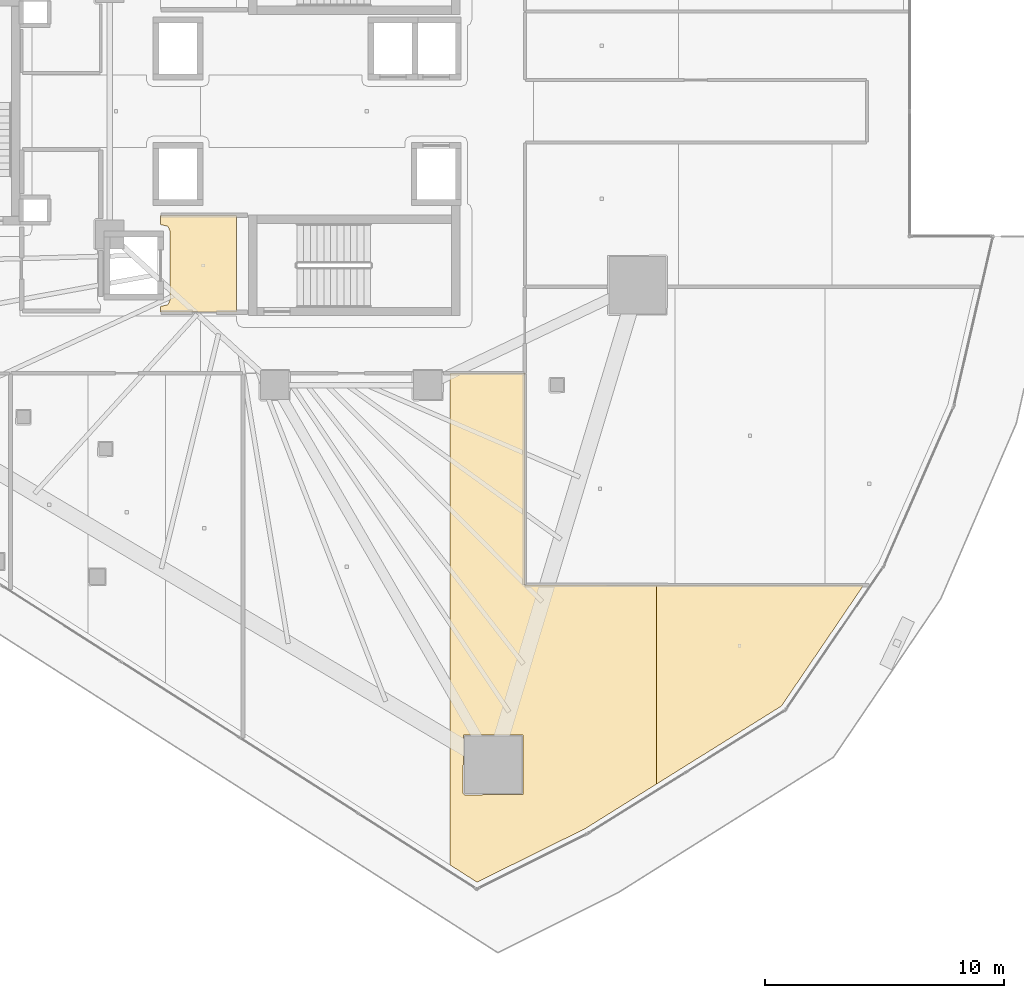
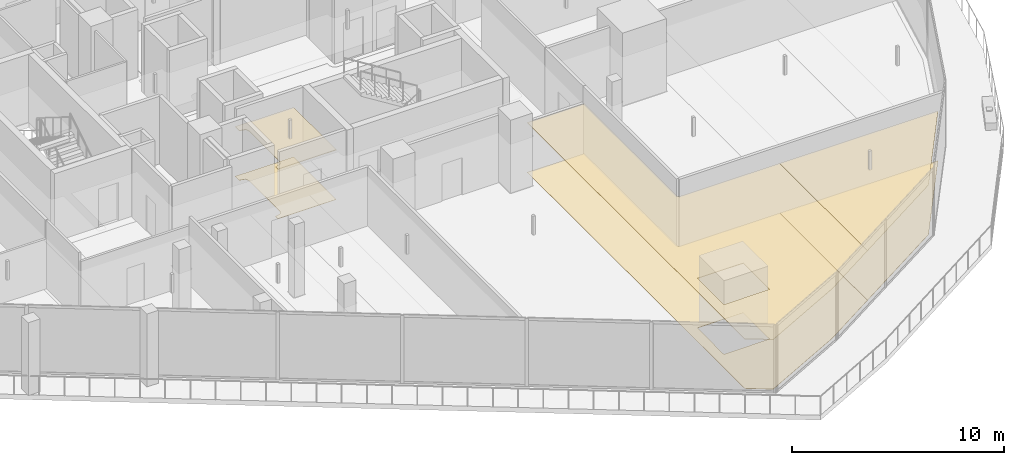
# One storey, part 38 of 44: 6 coverings.
"""IFC4 building model written with IfcOpenShell, lengths in metres."""

from ifc_helpers import new_model, si_unit, direction, frame, origin, place, context, subcontext, project, spatial, polyline, outline, extrude, material, layer, layer_set, type_object, element, save


model = new_model("IFC4")

# Units and contexts
model_context = context("Model", 3, precision=1e-05, world=origin(), true_north=direction((0.0, 1.0)))
body_context = subcontext(model_context, "Body", "Model", "MODEL_VIEW")
ifc_project = project(units=[si_unit("LENGTHUNIT", "METRE"), si_unit("AREAUNIT", "SQUARE_METRE"), si_unit("VOLUMEUNIT", "CUBIC_METRE"), si_unit("PLANEANGLEUNIT", "RADIAN"), si_unit("MASSUNIT", "GRAM", prefix="KILO")], contexts=[model_context])

# Site, building, storey
site_placement = place(None, origin())
site = spatial("IfcSite", under=ifc_project, at=site_placement, CompositionType="ELEMENT")
building_placement = place(site_placement, origin())
building = spatial("IfcBuilding", under=site, at=building_placement, Name="Qorvath Tower", CompositionType="ELEMENT")
storey_placement = place(building_placement, frame((0.0, 0.0, 70.199951171875)))
storey = spatial("IfcBuildingStorey", under=building, at=storey_placement, Name="L15", CompositionType="ELEMENT", Elevation=70.199951171875)

# Coverings
ifc_material_1 = material(Name="Acoustic mineral fibre ceiling tile", Category="gypsum")
ifc_layer_1 = layer(ifc_material_1, 0.030029296875)
ifc_layer_set_1 = layer_set([ifc_layer_1], Name="COV-CEIL")
covering_type_1 = type_object("IfcCoveringType", Name="COV-CEIL", PredefinedType="CEILING", material=ifc_layer_set_1)
covering_1_placement = place(storey_placement, frame((0.0, 0.0, 2.85009765625)))
element("IfcCovering", 1, at=covering_1_placement, inside=storey, type_object=covering_type_1, Name="L15 Suspended Acoustic Ceiling 002", PredefinedType="CEILING", context=body_context, shape_type="SweptSolid", body=[
    extrude(outline(polyline([(-25.18994140625, -8.39501953125), (-25.18994140625, -4.35498046875), (-28.375, -4.35498046875), (-28.375, -4.739990234375), (-28.063232421875, -4.813232421875), (-27.989990234375, -4.989990234375), (-27.989990234375, -7.909912109375), (-28.063232421875, -8.086669921875), (-28.375, -8.159912109375), (-28.375, -8.39501953125), (-25.18994140625, -8.39501953125)])), origin(), (0.0, 0.0, 1.0), 0.030029296875),
])
covering_2_placement = place(storey_placement, frame((0.0, 0.0, 2.85009765625)))
element("IfcCovering", 2, at=covering_2_placement, inside=storey, type_object=covering_type_1, Name="L15 Suspended Acoustic Ceiling 023", PredefinedType="CEILING", context=body_context, shape_type="SweptSolid", body=[
    extrude(outline(polyline([(-16.271484375, -10.962890625), (-16.271484375, -31.518798828125), (-15.1396484375, -32.242431640625), (-10.621337890625, -30.00537109375), (-7.625244140625, -28.134033203125), (-7.625244140625, -19.824462890625), (-13.14990234375, -19.821533203125), (-13.155029296875, -10.962890625), (-16.271484375, -10.962890625)]), holes=[polyline([(-15.724365234375, -28.53076171875), (-15.706787109375, -26.08837890625), (-13.221923828125, -26.08837890625), (-13.221923828125, -28.5732421875), (-15.664306640625, -28.5908203125), (-15.724365234375, -28.53076171875)])]), origin(), (0.0, 0.0, 1.0), 0.030029296875),
])
covering_3_placement = place(storey_placement, frame((0.0, 0.0, 2.85009765625)))
element("IfcCovering", 3, at=covering_3_placement, inside=storey, type_object=covering_type_1, Name="L15 Suspended Acoustic Ceiling 024", PredefinedType="CEILING", context=body_context, shape_type="SweptSolid", body=[
    extrude(outline(polyline([(-7.625244140625, -19.824462890625), (-7.625244140625, -28.134033203125), (-2.408447265625, -24.87548828125), (1.021240234375, -19.828857421875), (-7.625244140625, -19.824462890625)])), origin(), (0.0, 0.0, 1.0), 0.030029296875),
])
ifc_material_2 = material(Name="Low-VOC modular carpet tile", Category="textile")
ifc_layer_2 = layer(ifc_material_2, 0.014892578125)
ifc_layer_set_2 = layer_set([ifc_layer_2], Name="COV-FLOOR-CPT")
covering_type_2 = type_object("IfcCoveringType", Name="COV-FLOOR-CPT", PredefinedType="FLOORING", material=ifc_layer_set_2)
covering_4_placement = place(storey_placement, origin())
element("IfcCovering", 4, at=covering_4_placement, inside=storey, type_object=covering_type_2, Name="L15 Floor Finish 023", PredefinedType="FLOORING", context=body_context, shape_type="SweptSolid", body=[
    extrude(outline(polyline([(-16.271484375, -10.962890625), (-16.271484375, -31.518798828125), (-15.1396484375, -32.242431640625), (-10.621337890625, -30.00537109375), (-7.625244140625, -28.134033203125), (-7.625244140625, -19.824462890625), (-13.14990234375, -19.821533203125), (-13.155029296875, -10.962890625), (-16.271484375, -10.962890625)]), holes=[polyline([(-15.724365234375, -28.53076171875), (-15.706787109375, -26.08837890625), (-13.221923828125, -26.08837890625), (-13.221923828125, -28.5732421875), (-15.664306640625, -28.5908203125), (-15.724365234375, -28.53076171875)])]), origin(), (0.0, 0.0, 1.0), 0.01513671875),
])
covering_5_placement = place(storey_placement, origin())
element("IfcCovering", 5, at=covering_5_placement, inside=storey, type_object=covering_type_2, Name="L15 Floor Finish 024", PredefinedType="FLOORING", context=body_context, shape_type="SweptSolid", body=[
    extrude(outline(polyline([(-7.625244140625, -19.824462890625), (-7.625244140625, -28.134033203125), (-2.408447265625, -24.87548828125), (1.021240234375, -19.828857421875), (-7.625244140625, -19.824462890625)])), origin(), (0.0, 0.0, 1.0), 0.01513671875),
])
ifc_material_3 = material(Name="Polished epoxy terrazzo flooring", Category="concrete")
ifc_layer_3 = layer(ifc_material_3, 0.02001953125)
ifc_layer_set_3 = layer_set([ifc_layer_3], Name="COV-FLOOR-TRZ")
covering_type_3 = type_object("IfcCoveringType", Name="COV-FLOOR-TRZ", PredefinedType="FLOORING", material=ifc_layer_set_3)
covering_6_placement = place(storey_placement, origin())
element("IfcCovering", 6, at=covering_6_placement, inside=storey, type_object=covering_type_3, Name="L15 Floor Finish 002", PredefinedType="FLOORING", context=body_context, shape_type="SweptSolid", body=[
    extrude(outline(polyline([(-25.18994140625, -8.39501953125), (-25.18994140625, -4.35498046875), (-28.375, -4.35498046875), (-28.375, -4.739990234375), (-28.063232421875, -4.813232421875), (-27.989990234375, -4.989990234375), (-27.989990234375, -7.909912109375), (-28.063232421875, -8.086669921875), (-28.375, -8.159912109375), (-28.375, -8.39501953125), (-25.18994140625, -8.39501953125)])), origin(), (0.0, 0.0, 1.0), 0.01513671875),
])

save(model, "model.ifc")
